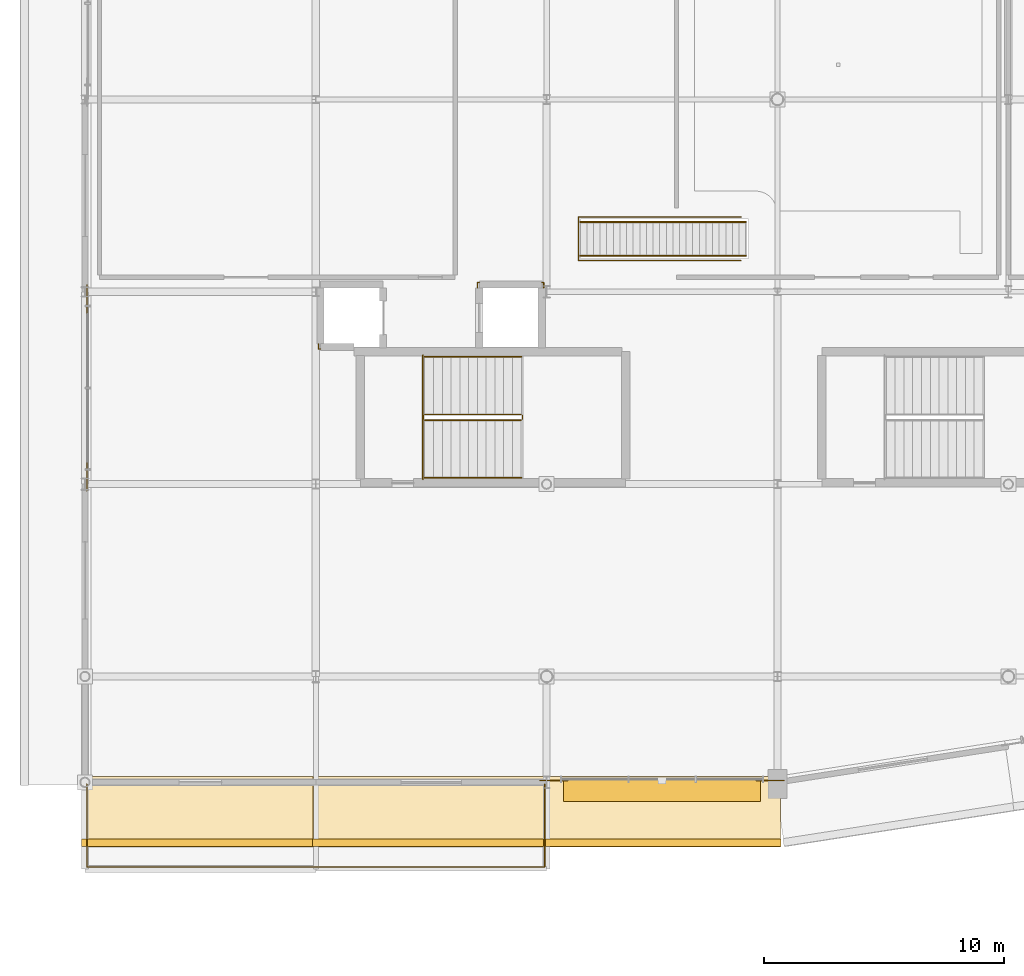
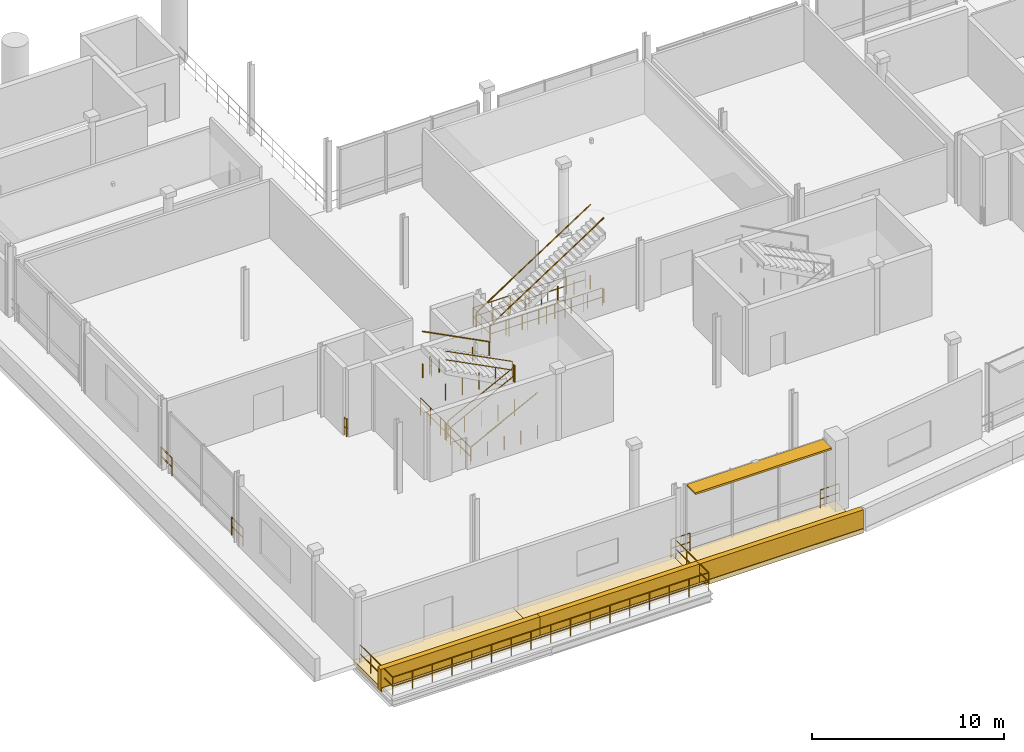
# One storey, part 48 of 59: 19 railings, 6 coverings, 1 shading device.
"""IFC4 building model written with IfcOpenShell, lengths in metres."""

from ifc_helpers import new_model, si_unit, direction, frame, origin, origin_2d, place, context, subcontext, project, spatial, rectangle, circle, extrude, material, layer, layer_set, type_object, element, save


model = new_model("IFC4")

# Units and contexts
model_context = context("Model", 3, precision=1e-05, world=origin(), true_north=direction((0.0, 1.0)))
body_context = subcontext(model_context, "Body", "Model", "MODEL_VIEW")
ifc_project = project(units=[si_unit("LENGTHUNIT", "METRE"), si_unit("AREAUNIT", "SQUARE_METRE"), si_unit("VOLUMEUNIT", "CUBIC_METRE"), si_unit("PLANEANGLEUNIT", "RADIAN"), si_unit("MASSUNIT", "GRAM", prefix="KILO")], contexts=[model_context])

# Site, building, storey
site_placement = place(None, origin())
site = spatial("IfcSite", under=ifc_project, at=site_placement, CompositionType="ELEMENT")
building_placement = place(site_placement, origin())
building = spatial("IfcBuilding", under=site, at=building_placement, Name="Danafjord Basin Convention Centre", CompositionType="ELEMENT")
storey_placement = place(building_placement, frame((0.0, 0.0, 15.89990234375)))
storey = spatial("IfcBuildingStorey", under=building, at=storey_placement, Name="L03", CompositionType="ELEMENT", Elevation=15.89990234375)

# Coverings
ifc_material_1 = material(Name="Architectural white precast concrete C45/55", Category="concrete")
ifc_layer = layer(ifc_material_1, 0.320068359375)
ifc_layer_set = layer_set([ifc_layer], Name="Architectural white precast concrete C45/55")
covering_type = type_object("IfcCoveringType", Name="COV-BAND-HORIZ", PredefinedType="CLADDING", material=ifc_layer_set)
covering_1_placement = place(storey_placement, frame((4.800048828125, 2.375, -0.27978515625), z_axis=(0.0, 0.0, 1.0), x_axis=(1.0, 0.0, 0.0)))
element("IfcCovering", 1, at=covering_1_placement, inside=storey, type_object=covering_type, Name="L03 stepped horizontal band soffit plate 25", PredefinedType="CLADDING", context=body_context, shape_type="SweptSolid", body=[
    extrude(rectangle(XDim=9.840087890625, YDim=2.949951171875, at=origin_2d()), origin(), (0.0, 0.0, 1.0), 0.280029296875),
])
covering_2_placement = place(storey_placement, frame((4.800048828125, 1.090087890625, -0.23974609375), z_axis=(0.0, 0.0, 1.0), x_axis=(1.0, 0.0, 0.0)))
element("IfcCovering", 2, at=covering_2_placement, inside=storey, type_object=covering_type, Name="L03 layered horizontal white spandrel band 25", PredefinedType="CLADDING", context=body_context, shape_type="SweptSolid", body=[
    extrude(rectangle(XDim=9.8798828125, YDim=0.320068359375, at=origin_2d()), origin(), (0.0, 0.0, 1.0), 1.419921875),
])
covering_3_placement = place(storey_placement, frame((14.39990234375, 2.375, -0.27978515625), z_axis=(0.0, 0.0, 1.0), x_axis=(1.0, 0.0, 0.0)))
element("IfcCovering", 3, at=covering_3_placement, inside=storey, type_object=covering_type, Name="L03 stepped horizontal band soffit plate 26", PredefinedType="CLADDING", context=body_context, shape_type="SweptSolid", body=[
    extrude(rectangle(XDim=9.840087890625, YDim=2.949951171875, at=origin_2d()), origin(), (0.0, 0.0, 1.0), 0.280029296875),
])
covering_4_placement = place(storey_placement, frame((14.39990234375, 1.090087890625, -0.23974609375), z_axis=(0.0, 0.0, 1.0), x_axis=(1.0, 0.0, 0.0)))
element("IfcCovering", 4, at=covering_4_placement, inside=storey, type_object=covering_type, Name="L03 layered horizontal white spandrel band 26", PredefinedType="CLADDING", context=body_context, shape_type="SweptSolid", body=[
    extrude(rectangle(XDim=9.8798828125, YDim=0.320068359375, at=origin_2d()), origin(), (0.0, 0.0, 1.0), 1.419921875),
])
covering_5_placement = place(storey_placement, frame((24.0, 2.375, -0.27978515625), z_axis=(0.0, 0.0, 1.0), x_axis=(1.0, 0.0, 0.0)))
element("IfcCovering", 5, at=covering_5_placement, inside=storey, type_object=covering_type, Name="L03 stepped horizontal band soffit plate 27", PredefinedType="CLADDING", context=body_context, shape_type="SweptSolid", body=[
    extrude(rectangle(XDim=9.840087890625, YDim=2.949951171875, at=origin_2d()), origin(), (0.0, 0.0, 1.0), 0.280029296875),
])
covering_6_placement = place(storey_placement, frame((24.0, 1.090087890625, -0.23974609375), z_axis=(0.0, 0.0, 1.0), x_axis=(1.0, 0.0, 0.0)))
element("IfcCovering", 6, at=covering_6_placement, inside=storey, type_object=covering_type, Name="L03 layered horizontal white spandrel band 27", PredefinedType="CLADDING", context=body_context, shape_type="SweptSolid", body=[
    extrude(rectangle(XDim=9.8798828125, YDim=0.320068359375, at=origin_2d()), origin(), (0.0, 0.0, 1.0), 1.419921875),
])

# Railings
ifc_material_2 = material(Name="Laminated structural glass and stainless steel", Category="steel")
railing_type_1 = type_object("IfcRailingType", Name="RL-BAL-GLS", PredefinedType="BALUSTRADE", material=ifc_material_2)
railing_1_placement = place(storey_placement, frame((0.080078125, 0.080078125, 0.0)))
element("IfcRailing", 7, at=railing_1_placement, inside=storey, type_object=railing_type_1, Name="L03 safety guard balustrade 232", PredefinedType="BALUSTRADE", context=body_context, shape_type="SweptSolid", body=[
    extrude(circle(Radius=0.02392578125, at=origin_2d()), frame((0.0, 0.0, 1.1259765625), z_axis=(0.0, 1.0, 0.0), x_axis=(-1.0, 0.0, 0.0)), (0.0, 0.0, 1.0), 3.44482421875),
    extrude(circle(Radius=0.02392578125, at=origin_2d()), frame((0.0, 0.0, 0.55078125), z_axis=(0.0, 1.0, 0.0), x_axis=(-1.0, 0.0, 0.0)), (0.0, 0.0, 1.0), 3.44482421875),
    extrude(circle(Radius=0.02099609375, at=origin_2d()), origin(), (0.0, 0.0, 1.0), 1.099853515625),
    extrude(circle(Radius=0.02099609375, at=origin_2d()), frame((0.0, 1.148193359375, 0.0)), (0.0, 0.0, 1.0), 1.099853515625),
    extrude(circle(Radius=0.02099609375, at=origin_2d()), frame((0.0, 2.296630859375, 0.0)), (0.0, 0.0, 1.0), 1.099853515625),
    extrude(circle(Radius=0.02099609375, at=origin_2d()), frame((0.0, 3.44482421875, 0.0)), (0.0, 0.0, 1.0), 1.099853515625),
])
for number, where, name in (
    (8, (0.080078125, 15.719970703125, 0.0), "L03 safety guard balustrade 233"),
    (9, (0.080078125, 23.1201171875, 0.0), "L03 safety guard balustrade 234"),
):
    element("IfcRailing", number, at=place(storey_placement, frame(where)), inside=storey, type_object=railing_type_1, Name=name, PredefinedType="BALUSTRADE", context=body_context, shape_type="SweptSolid", body=[
        extrude(circle(Radius=0.02392578125, at=origin_2d()), frame((0.0, 0.0, 1.1259765625), z_axis=(0.0, 1.0, 0.0), x_axis=(-1.0, 0.0, 0.0)), (0.0, 0.0, 1.0), 1.159912109375),
        extrude(circle(Radius=0.02392578125, at=origin_2d()), frame((0.0, 0.0, 0.55078125), z_axis=(0.0, 1.0, 0.0), x_axis=(-1.0, 0.0, 0.0)), (0.0, 0.0, 1.0), 1.159912109375),
        extrude(circle(Radius=0.02099609375, at=origin_2d()), origin(), (0.0, 0.0, 1.0), 1.099853515625),
        extrude(circle(Radius=0.02099609375, at=origin_2d()), frame((0.0, 1.159912109375, 0.0)), (0.0, 0.0, 1.0), 1.099853515625),
    ])
railing_2_placement = place(storey_placement, frame((29.068115234375, 3.679931640625, 0.0)))
element("IfcRailing", 10, at=railing_2_placement, inside=storey, type_object=railing_type_1, Name="L03 safety guard balustrade 257", PredefinedType="BALUSTRADE", context=body_context, shape_type="SweptSolid", body=[
    extrude(circle(Radius=0.02392578125, at=origin_2d()), frame((0.0, 0.0, 1.1259765625), z_axis=(-1.0, 0.0, 0.0), x_axis=(0.0, -1.0, 0.0)), (0.0, 0.0, 1.0), 1.148193359375),
    extrude(circle(Radius=0.02392578125, at=origin_2d()), frame((0.0, 0.0, 0.55078125), z_axis=(-1.0, 0.0, 0.0), x_axis=(0.0, -1.0, 0.0)), (0.0, 0.0, 1.0), 1.148193359375),
    extrude(circle(Radius=0.02099609375, at=origin_2d()), origin(), (0.0, 0.0, 1.0), 1.099853515625),
    extrude(circle(Radius=0.02099609375, at=origin_2d()), frame((-1.148193359375, 0.0, 0.0)), (0.0, 0.0, 1.0), 1.099853515625),
])
railing_3_placement = place(storey_placement, frame((20.080078125, 3.679931640625, 0.0)))
element("IfcRailing", 11, at=railing_3_placement, inside=storey, type_object=railing_type_1, Name="L03 safety guard balustrade 258", PredefinedType="BALUSTRADE", context=body_context, shape_type="SweptSolid", body=[
    extrude(circle(Radius=0.02392578125, at=origin_2d()), frame((0.0, 0.0, 1.1259765625), z_axis=(-1.0, 0.0, 0.0), x_axis=(0.0, -1.0, 0.0)), (0.0, 0.0, 1.0), 1.16015625),
    extrude(circle(Radius=0.02392578125, at=origin_2d()), frame((0.0, 0.0, 0.55078125), z_axis=(-1.0, 0.0, 0.0), x_axis=(0.0, -1.0, 0.0)), (0.0, 0.0, 1.0), 1.16015625),
    extrude(circle(Radius=0.02099609375, at=origin_2d()), origin(), (0.0, 0.0, 1.0), 1.099853515625),
    extrude(circle(Radius=0.02099609375, at=origin_2d()), frame((-1.16015625, 0.0, 0.0)), (0.0, 0.0, 1.0), 1.099853515625),
])
railing_4_placement = place(storey_placement, frame((19.1201171875, 3.52490234375, 0.0)))
element("IfcRailing", 12, at=railing_4_placement, inside=storey, type_object=railing_type_1, Name="L03 safety guard balustrade 259", PredefinedType="BALUSTRADE", context=body_context, shape_type="SweptSolid", body=[
    extrude(circle(Radius=0.02392578125, at=origin_2d()), frame((0.0, 0.0, 1.1259765625), z_axis=(0.0, -1.0, 0.0), x_axis=(1.0, 0.0, 0.0)), (0.0, 0.0, 1.0), 3.44482421875),
    extrude(circle(Radius=0.02392578125, at=origin_2d()), frame((0.0, 0.0, 0.55078125), z_axis=(0.0, -1.0, 0.0), x_axis=(1.0, 0.0, 0.0)), (0.0, 0.0, 1.0), 3.44482421875),
    extrude(circle(Radius=0.02392578125, at=origin_2d()), frame((0.0, -3.44482421875, 1.1259765625), z_axis=(-1.0, 0.0, 0.0), x_axis=(0.0, -1.0, 0.0)), (0.0, 0.0, 1.0), 19.0400390625),
    extrude(circle(Radius=0.02392578125, at=origin_2d()), frame((0.0, -3.44482421875, 0.55078125), z_axis=(-1.0, 0.0, 0.0), x_axis=(0.0, -1.0, 0.0)), (0.0, 0.0, 1.0), 19.0400390625),
    extrude(circle(Radius=0.02099609375, at=origin_2d()), origin(), (0.0, 0.0, 1.0), 1.099853515625),
    extrude(circle(Radius=0.02099609375, at=origin_2d()), frame((0.0, -1.148193359375, 0.0)), (0.0, 0.0, 1.0), 1.099853515625),
    extrude(circle(Radius=0.02099609375, at=origin_2d()), frame((0.0, -2.296630859375, 0.0)), (0.0, 0.0, 1.0), 1.099853515625),
    extrude(circle(Radius=0.02099609375, at=origin_2d()), frame((0.0, -3.44482421875, 0.0)), (0.0, 0.0, 1.0), 1.099853515625),
    extrude(circle(Radius=0.02099609375, at=origin_2d()), frame((-1.18994140625, -3.44482421875, 0.0)), (0.0, 0.0, 1.0), 1.099853515625),
    extrude(circle(Radius=0.02099609375, at=origin_2d()), frame((-2.3798828125, -3.44482421875, 0.0)), (0.0, 0.0, 1.0), 1.099853515625),
    extrude(circle(Radius=0.02099609375, at=origin_2d()), frame((-3.570068359375, -3.44482421875, 0.0)), (0.0, 0.0, 1.0), 1.099853515625),
    extrude(circle(Radius=0.02099609375, at=origin_2d()), frame((-4.760009765625, -3.44482421875, 0.0)), (0.0, 0.0, 1.0), 1.099853515625),
    extrude(circle(Radius=0.02099609375, at=origin_2d()), frame((-5.949951171875, -3.44482421875, 0.0)), (0.0, 0.0, 1.0), 1.099853515625),
    extrude(circle(Radius=0.02099609375, at=origin_2d()), frame((-7.14013671875, -3.44482421875, 0.0)), (0.0, 0.0, 1.0), 1.099853515625),
    extrude(circle(Radius=0.02099609375, at=origin_2d()), frame((-8.330078125, -3.44482421875, 0.0)), (0.0, 0.0, 1.0), 1.099853515625),
    extrude(circle(Radius=0.02099609375, at=origin_2d()), frame((-9.52001953125, -3.44482421875, 0.0)), (0.0, 0.0, 1.0), 1.099853515625),
    extrude(circle(Radius=0.02099609375, at=origin_2d()), frame((-10.7099609375, -3.44482421875, 0.0)), (0.0, 0.0, 1.0), 1.099853515625),
    extrude(circle(Radius=0.02099609375, at=origin_2d()), frame((-11.89990234375, -3.44482421875, 0.0)), (0.0, 0.0, 1.0), 1.099853515625),
    extrude(circle(Radius=0.02099609375, at=origin_2d()), frame((-13.090087890625, -3.44482421875, 0.0)), (0.0, 0.0, 1.0), 1.099853515625),
    extrude(circle(Radius=0.02099609375, at=origin_2d()), frame((-14.280029296875, -3.44482421875, 0.0)), (0.0, 0.0, 1.0), 1.099853515625),
    extrude(circle(Radius=0.02099609375, at=origin_2d()), frame((-15.469970703125, -3.44482421875, 0.0)), (0.0, 0.0, 1.0), 1.099853515625),
    extrude(circle(Radius=0.02099609375, at=origin_2d()), frame((-16.66015625, -3.44482421875, 0.0)), (0.0, 0.0, 1.0), 1.099853515625),
    extrude(circle(Radius=0.02099609375, at=origin_2d()), frame((-17.85009765625, -3.44482421875, 0.0)), (0.0, 0.0, 1.0), 1.099853515625),
    extrude(circle(Radius=0.02099609375, at=origin_2d()), frame((-19.0400390625, -3.44482421875, 0.0)), (0.0, 0.0, 1.0), 1.099853515625),
])
railing_5_placement = place(storey_placement, frame((14.050048828125, 21.375, 0.0)))
element("IfcRailing", 13, at=railing_5_placement, inside=storey, type_object=railing_type_1, Name="L03 safety guard balustrade 272", PredefinedType="BALUSTRADE", context=body_context, shape_type="SweptSolid", body=[
    extrude(circle(Radius=0.02392578125, at=origin_2d()), frame((0.0, 0.0, 1.1259765625), z_axis=(0.0, -1.0, 0.0), x_axis=(1.0, 0.0, 0.0)), (0.0, 0.0, 1.0), 5.18994140625),
    extrude(circle(Radius=0.02392578125, at=origin_2d()), frame((0.0, 0.0, 0.55078125), z_axis=(0.0, -1.0, 0.0), x_axis=(1.0, 0.0, 0.0)), (0.0, 0.0, 1.0), 5.18994140625),
    extrude(circle(Radius=0.02099609375, at=origin_2d()), origin(), (0.0, 0.0, 1.0), 1.099853515625),
    extrude(circle(Radius=0.02099609375, at=origin_2d()), frame((0.0, -1.0380859375, 0.0)), (0.0, 0.0, 1.0), 1.099853515625),
    extrude(circle(Radius=0.02099609375, at=origin_2d()), frame((0.0, -2.075927734375, 0.0)), (0.0, 0.0, 1.0), 1.099853515625),
    extrude(circle(Radius=0.02099609375, at=origin_2d()), frame((0.0, -3.114013671875, 0.0)), (0.0, 0.0, 1.0), 1.099853515625),
    extrude(circle(Radius=0.02099609375, at=origin_2d()), frame((0.0, -4.15185546875, 0.0)), (0.0, 0.0, 1.0), 1.099853515625),
    extrude(circle(Radius=0.02099609375, at=origin_2d()), frame((0.0, -5.18994140625, 0.0)), (0.0, 0.0, 1.0), 1.099853515625),
])
railing_6_placement = place(storey_placement, frame((16.39990234375, 24.3798828125, 0.0)))
element("IfcRailing", 14, at=railing_6_placement, inside=storey, type_object=railing_type_1, Name="L03 safety guard balustrade 274", PredefinedType="BALUSTRADE", context=body_context, shape_type="SweptSolid", body=[
    extrude(circle(Radius=0.02392578125, at=origin_2d()), frame((0.0, 0.0, 1.1259765625), z_axis=(-1.0, 0.0, 0.0), x_axis=(0.0, -1.0, 0.0)), (0.0, 0.0, 1.0), 0.079833984375),
    extrude(circle(Radius=0.02392578125, at=origin_2d()), frame((0.0, 0.0, 0.55078125), z_axis=(-1.0, 0.0, 0.0), x_axis=(0.0, -1.0, 0.0)), (0.0, 0.0, 1.0), 0.079833984375),
    extrude(circle(Radius=0.02392578125, at=origin_2d()), frame((-0.079833984375, 0.0, 1.1259765625), z_axis=(0.0, -1.0, 0.0), x_axis=(1.0, 0.0, 0.0)), (0.0, 0.0, 1.0), 0.21484375),
    extrude(circle(Radius=0.02392578125, at=origin_2d()), frame((-0.079833984375, 0.0, 0.55078125), z_axis=(0.0, -1.0, 0.0), x_axis=(1.0, 0.0, 0.0)), (0.0, 0.0, 1.0), 0.21484375),
    extrude(circle(Radius=0.02099609375, at=origin_2d()), origin(), (0.0, 0.0, 1.0), 1.099853515625),
    extrude(circle(Radius=0.02099609375, at=origin_2d()), frame((-0.079833984375, 0.0, 0.0)), (0.0, 0.0, 1.0), 1.099853515625),
    extrude(circle(Radius=0.02099609375, at=origin_2d()), frame((-0.079833984375, -0.21484375, 0.0)), (0.0, 0.0, 1.0), 1.099853515625),
])
railing_7_placement = place(storey_placement, frame((9.719970703125, 21.8349609375, 0.0)))
element("IfcRailing", 15, at=railing_7_placement, inside=storey, type_object=railing_type_1, Name="L03 safety guard balustrade 278", PredefinedType="BALUSTRADE", context=body_context, shape_type="SweptSolid", body=[
    extrude(circle(Radius=0.02392578125, at=origin_2d()), frame((0.0, 0.0, 1.1259765625), z_axis=(0.0, -1.0, 0.0), x_axis=(1.0, 0.0, 0.0)), (0.0, 0.0, 1.0), 0.21484375),
    extrude(circle(Radius=0.02392578125, at=origin_2d()), frame((0.0, 0.0, 0.55078125), z_axis=(0.0, -1.0, 0.0), x_axis=(1.0, 0.0, 0.0)), (0.0, 0.0, 1.0), 0.21484375),
    extrude(circle(Radius=0.02392578125, at=origin_2d()), frame((0.0, -0.21484375, 1.1259765625), z_axis=(1.0, 0.0, 0.0), x_axis=(0.0, 1.0, 0.0)), (0.0, 0.0, 1.0), 0.080078125),
    extrude(circle(Radius=0.02392578125, at=origin_2d()), frame((0.0, -0.21484375, 0.55078125), z_axis=(1.0, 0.0, 0.0), x_axis=(0.0, 1.0, 0.0)), (0.0, 0.0, 1.0), 0.080078125),
    extrude(circle(Radius=0.02099609375, at=origin_2d()), origin(), (0.0, 0.0, 1.0), 1.099853515625),
    extrude(circle(Radius=0.02099609375, at=origin_2d()), frame((0.0, -0.21484375, 0.0)), (0.0, 0.0, 1.0), 1.099853515625),
    extrude(circle(Radius=0.02099609375, at=origin_2d()), frame((0.080078125, -0.21484375, 0.0)), (0.0, 0.0, 1.0), 1.099853515625),
])
ifc_material_3 = material(Name="Galvanised and powder-coated steel S355", Category="steel")
railing_type_2 = type_object("IfcRailingType", Name="RL-BAL-STL", PredefinedType="BALUSTRADE", material=ifc_material_3)
railing_8_placement = place(storey_placement, frame((27.280029296875, 27.10498046875, 0.0)))
element("IfcRailing", 16, at=railing_8_placement, inside=storey, type_object=railing_type_2, Name="L03 safety guard balustrade 271", PredefinedType="BALUSTRADE", context=body_context, shape_type="SweptSolid", body=[
    extrude(circle(Radius=0.02392578125, at=origin_2d()), frame((0.0, 0.0, 1.1259765625), z_axis=(-1.0, 0.0, 0.0), x_axis=(0.0, -1.0, 0.0)), (0.0, 0.0, 1.0), 6.760009765625),
    extrude(circle(Radius=0.02392578125, at=origin_2d()), frame((0.0, 0.0, 0.55078125), z_axis=(-1.0, 0.0, 0.0), x_axis=(0.0, -1.0, 0.0)), (0.0, 0.0, 1.0), 6.760009765625),
    extrude(circle(Radius=0.02392578125, at=origin_2d()), frame((-6.760009765625, 0.0, 1.1259765625), z_axis=(0.0, -1.0, 0.0), x_axis=(1.0, 0.0, 0.0)), (0.0, 0.0, 1.0), 1.81005859375),
    extrude(circle(Radius=0.02392578125, at=origin_2d()), frame((-6.760009765625, 0.0, 0.55078125), z_axis=(0.0, -1.0, 0.0), x_axis=(1.0, 0.0, 0.0)), (0.0, 0.0, 1.0), 1.81005859375),
    extrude(circle(Radius=0.02392578125, at=origin_2d()), frame((-6.760009765625, -1.81005859375, 1.1259765625), z_axis=(1.0, 0.0, 0.0), x_axis=(0.0, 1.0, 0.0)), (0.0, 0.0, 1.0), 6.760009765625),
    extrude(circle(Radius=0.02392578125, at=origin_2d()), frame((-6.760009765625, -1.81005859375, 0.55078125), z_axis=(1.0, 0.0, 0.0), x_axis=(0.0, 1.0, 0.0)), (0.0, 0.0, 1.0), 6.760009765625),
    extrude(circle(Radius=0.02099609375, at=origin_2d()), origin(), (0.0, 0.0, 1.0), 1.099853515625),
    extrude(circle(Radius=0.02099609375, at=origin_2d()), frame((-1.126708984375, 0.0, 0.0)), (0.0, 0.0, 1.0), 1.099853515625),
    extrude(circle(Radius=0.02099609375, at=origin_2d()), frame((-2.25341796875, 0.0, 0.0)), (0.0, 0.0, 1.0), 1.099853515625),
    extrude(circle(Radius=0.02099609375, at=origin_2d()), frame((-3.3798828125, 0.0, 0.0)), (0.0, 0.0, 1.0), 1.099853515625),
    extrude(circle(Radius=0.02099609375, at=origin_2d()), frame((-4.506591796875, 0.0, 0.0)), (0.0, 0.0, 1.0), 1.099853515625),
    extrude(circle(Radius=0.02099609375, at=origin_2d()), frame((-5.63330078125, 0.0, 0.0)), (0.0, 0.0, 1.0), 1.099853515625),
    extrude(circle(Radius=0.02099609375, at=origin_2d()), frame((-6.760009765625, 0.0, 0.0)), (0.0, 0.0, 1.0), 1.099853515625),
    extrude(circle(Radius=0.02099609375, at=origin_2d()), frame((-6.760009765625, -0.905029296875, 0.0)), (0.0, 0.0, 1.0), 1.099853515625),
    extrude(circle(Radius=0.02099609375, at=origin_2d()), frame((-6.760009765625, -1.81005859375, 0.0)), (0.0, 0.0, 1.0), 1.099853515625),
    extrude(circle(Radius=0.02099609375, at=origin_2d()), frame((-5.63330078125, -1.81005859375, 0.0)), (0.0, 0.0, 1.0), 1.099853515625),
    extrude(circle(Radius=0.02099609375, at=origin_2d()), frame((-4.506591796875, -1.81005859375, 0.0)), (0.0, 0.0, 1.0), 1.099853515625),
    extrude(circle(Radius=0.02099609375, at=origin_2d()), frame((-3.3798828125, -1.81005859375, 0.0)), (0.0, 0.0, 1.0), 1.099853515625),
    extrude(circle(Radius=0.02099609375, at=origin_2d()), frame((-2.25341796875, -1.81005859375, 0.0)), (0.0, 0.0, 1.0), 1.099853515625),
    extrude(circle(Radius=0.02099609375, at=origin_2d()), frame((-1.126708984375, -1.81005859375, 0.0)), (0.0, 0.0, 1.0), 1.099853515625),
    extrude(circle(Radius=0.02099609375, at=origin_2d()), frame((0.0, -1.81005859375, 0.0)), (0.0, 0.0, 1.0), 1.099853515625),
])
railing_9_placement = place(storey_placement, frame((19.080078125, 24.1650390625, 0.0)))
element("IfcRailing", 17, at=railing_9_placement, inside=storey, type_object=railing_type_2, Name="L03 safety guard balustrade 273", PredefinedType="BALUSTRADE", context=body_context, shape_type="SweptSolid", body=[
    extrude(circle(Radius=0.02392578125, at=origin_2d()), frame((0.0, 0.0, 1.1259765625), z_axis=(0.0, 1.0, 0.0), x_axis=(-1.0, 0.0, 0.0)), (0.0, 0.0, 1.0), 0.21484375),
    extrude(circle(Radius=0.02392578125, at=origin_2d()), frame((0.0, 0.0, 0.55078125), z_axis=(0.0, 1.0, 0.0), x_axis=(-1.0, 0.0, 0.0)), (0.0, 0.0, 1.0), 0.21484375),
    extrude(circle(Radius=0.02392578125, at=origin_2d()), frame((0.0, 0.21484375, 1.1259765625), z_axis=(-1.0, 0.0, 0.0), x_axis=(0.0, -1.0, 0.0)), (0.0, 0.0, 1.0), 0.080078125),
    extrude(circle(Radius=0.02392578125, at=origin_2d()), frame((0.0, 0.21484375, 0.55078125), z_axis=(-1.0, 0.0, 0.0), x_axis=(0.0, -1.0, 0.0)), (0.0, 0.0, 1.0), 0.080078125),
    extrude(circle(Radius=0.02099609375, at=origin_2d()), origin(), (0.0, 0.0, 1.0), 1.099853515625),
    extrude(circle(Radius=0.02099609375, at=origin_2d()), frame((0.0, 0.21484375, 0.0)), (0.0, 0.0, 1.0), 1.099853515625),
    extrude(circle(Radius=0.02099609375, at=origin_2d()), frame((-0.080078125, 0.21484375, 0.0)), (0.0, 0.0, 1.0), 1.099853515625),
])
ifc_material_4 = material(Name="Galvanised steel S355", Category="steel")
railing_type_3 = type_object("IfcRailingType", Name="RL-GD-WELL", PredefinedType="BALUSTRADE", material=ifc_material_4)
railing_10_placement = place(storey_placement, frame((14.1298828125, 18.659912109375, 0.1875)))
element("IfcRailing", 18, at=railing_10_placement, inside=storey, type_object=railing_type_3, Name="L03 ST-01 stair guard 1", PredefinedType="BALUSTRADE", context=body_context, shape_type="SweptSolid", body=[
    extrude(circle(Radius=0.02392578125, at=origin_2d()), frame((0.0, 0.0, 1.076171875), z_axis=(0.889506420944, 0.0, 0.45692267081), x_axis=(0.0, 1.0, 0.0)), (0.0, 0.0, 1.0), 4.513916015625),
    extrude(circle(Radius=0.02392578125, at=origin_2d()), frame((0.0, 0.0, 0.52587890625), z_axis=(0.889506420944, 0.0, 0.45692267081), x_axis=(0.0, 1.0, 0.0)), (0.0, 0.0, 1.0), 4.513916015625),
    extrude(circle(Radius=0.02099609375, at=origin_2d()), origin(), (0.0, 0.0, 1.0), 1.050048828125),
    extrude(circle(Radius=0.02099609375, at=origin_2d()), frame((1.00390625, 0.0, 0.0)), (0.0, 0.0, 1.0), 1.050048828125),
    extrude(circle(Radius=0.02099609375, at=origin_2d()), frame((2.007568359375, 0.0, 0.0)), (0.0, 0.0, 1.0), 1.050048828125),
    extrude(circle(Radius=0.02099609375, at=origin_2d()), frame((3.01123046875, 0.0, 0.0)), (0.0, 0.0, 1.0), 1.050048828125),
    extrude(circle(Radius=0.02099609375, at=origin_2d()), frame((4.01513671875, 0.0, 0.0)), (0.0, 0.0, 1.0), 1.050048828125),
])
railing_11_placement = place(storey_placement, frame((18.195068359375, 18.7099609375, 2.25)))
element("IfcRailing", 19, at=railing_11_placement, inside=storey, type_object=railing_type_3, Name="L03 ST-01 stair guard 2", PredefinedType="BALUSTRADE", context=body_context, shape_type="SweptSolid", body=[
    extrude(circle(Radius=0.02392578125, at=origin_2d()), frame((0.0, 0.0, 1.076171875), z_axis=(0.0, 1.0, 0.0), x_axis=(-1.0, 0.0, 0.0)), (0.0, 0.0, 1.0), 0.14013671875),
    extrude(circle(Radius=0.02392578125, at=origin_2d()), frame((0.0, 0.0, 0.52587890625), z_axis=(0.0, 1.0, 0.0), x_axis=(-1.0, 0.0, 0.0)), (0.0, 0.0, 1.0), 0.14013671875),
    extrude(circle(Radius=0.02099609375, at=origin_2d()), origin(), (0.0, 0.0, 1.0), 1.050048828125),
    extrude(circle(Radius=0.02099609375, at=origin_2d()), frame((0.0, 0.14013671875, 0.0)), (0.0, 0.0, 1.0), 1.050048828125),
])
railing_12_placement = place(storey_placement, frame((18.14501953125, 18.89990234375, 2.4375)))
element("IfcRailing", 20, at=railing_12_placement, inside=storey, type_object=railing_type_3, Name="L03 ST-01 stair guard 3", PredefinedType="BALUSTRADE", context=body_context, shape_type="SweptSolid", body=[
    extrude(circle(Radius=0.02392578125, at=origin_2d()), frame((0.0, 0.0, 1.076171875), z_axis=(-0.889506420944, 0.0, 0.45692267081), x_axis=(0.0, -1.0, 0.0)), (0.0, 0.0, 1.0), 4.513916015625),
    extrude(circle(Radius=0.02392578125, at=origin_2d()), frame((0.0, 0.0, 0.52587890625), z_axis=(-0.889506420944, 0.0, 0.45692267081), x_axis=(0.0, -1.0, 0.0)), (0.0, 0.0, 1.0), 4.513916015625),
    extrude(circle(Radius=0.02099609375, at=origin_2d()), origin(), (0.0, 0.0, 1.0), 1.050048828125),
    extrude(circle(Radius=0.02099609375, at=origin_2d()), frame((-1.00390625, 0.0, 0.0)), (0.0, 0.0, 1.0), 1.050048828125),
    extrude(circle(Radius=0.02099609375, at=origin_2d()), frame((-2.007568359375, 0.0, 0.0)), (0.0, 0.0, 1.0), 1.050048828125),
    extrude(circle(Radius=0.02099609375, at=origin_2d()), frame((-3.01123046875, 0.0, 0.0)), (0.0, 0.0, 1.0), 1.050048828125),
    extrude(circle(Radius=0.02099609375, at=origin_2d()), frame((-4.01513671875, 0.0, 0.0)), (0.0, 0.0, 1.0), 1.050048828125),
])
railing_13_placement = place(storey_placement, frame((14.080078125, 18.7099609375, 0.0)))
element("IfcRailing", 21, at=railing_13_placement, inside=storey, type_object=railing_type_3, Name="L03 ST-01 stair guard 4", PredefinedType="BALUSTRADE", context=body_context, shape_type="SweptSolid", body=[
    extrude(circle(Radius=0.02392578125, at=origin_2d()), frame((0.0, 0.0, 1.076171875), z_axis=(0.0, 1.0, 0.0), x_axis=(-1.0, 0.0, 0.0)), (0.0, 0.0, 1.0), 0.14013671875),
    extrude(circle(Radius=0.02392578125, at=origin_2d()), frame((0.0, 0.0, 0.52587890625), z_axis=(0.0, 1.0, 0.0), x_axis=(-1.0, 0.0, 0.0)), (0.0, 0.0, 1.0), 0.14013671875),
    extrude(circle(Radius=0.02099609375, at=origin_2d()), origin(), (0.0, 0.0, 1.0), 1.050048828125),
    extrude(circle(Radius=0.02099609375, at=origin_2d()), frame((0.0, 0.14013671875, 0.0)), (0.0, 0.0, 1.0), 1.050048828125),
])
ifc_material_5 = material(Name="Brushed stainless steel EN 1.4404", Category="steel")
railing_type_4 = type_object("IfcRailingType", Name="RL-HR-STAIR", PredefinedType="HANDRAIL", material=ifc_material_5)
railing_14_placement = place(storey_placement, frame((14.1298828125, 16.260009765625, 0.1875)))
element("IfcRailing", 22, at=railing_14_placement, inside=storey, type_object=railing_type_4, Name="L03 ST-01 stair handrail 1", PredefinedType="HANDRAIL", context=body_context, shape_type="SweptSolid", body=[
    extrude(circle(Radius=0.02392578125, at=origin_2d()), frame((0.0, 0.0, 0.8759765625), z_axis=(0.889506420944, 0.0, 0.45692267081), x_axis=(0.0, 1.0, 0.0)), (0.0, 0.0, 1.0), 4.513916015625),
    extrude(circle(Radius=0.02099609375, at=origin_2d()), origin(), (0.0, 0.0, 1.0), 0.849853515625),
    extrude(circle(Radius=0.02099609375, at=origin_2d()), frame((1.00390625, 0.0, 0.0)), (0.0, 0.0, 1.0), 0.849853515625),
    extrude(circle(Radius=0.02099609375, at=origin_2d()), frame((2.007568359375, 0.0, 0.0)), (0.0, 0.0, 1.0), 0.849853515625),
    extrude(circle(Radius=0.02099609375, at=origin_2d()), frame((3.01123046875, 0.0, 0.0)), (0.0, 0.0, 1.0), 0.849853515625),
    extrude(circle(Radius=0.02099609375, at=origin_2d()), frame((4.01513671875, 0.0, 0.0)), (0.0, 0.0, 1.0), 0.849853515625),
])
railing_15_placement = place(storey_placement, frame((18.14501953125, 21.300048828125, 2.4375)))
element("IfcRailing", 23, at=railing_15_placement, inside=storey, type_object=railing_type_4, Name="L03 ST-01 stair handrail 2", PredefinedType="HANDRAIL", context=body_context, shape_type="SweptSolid", body=[
    extrude(circle(Radius=0.02392578125, at=origin_2d()), frame((0.0, 0.0, 0.8759765625), z_axis=(-0.889506420944, 0.0, 0.45692267081), x_axis=(0.0, -1.0, 0.0)), (0.0, 0.0, 1.0), 4.513916015625),
    extrude(circle(Radius=0.02099609375, at=origin_2d()), origin(), (0.0, 0.0, 1.0), 0.849853515625),
    extrude(circle(Radius=0.02099609375, at=origin_2d()), frame((-1.00390625, 0.0, 0.0)), (0.0, 0.0, 1.0), 0.849853515625),
    extrude(circle(Radius=0.02099609375, at=origin_2d()), frame((-2.007568359375, 0.0, 0.0)), (0.0, 0.0, 1.0), 0.849853515625),
    extrude(circle(Radius=0.02099609375, at=origin_2d()), frame((-3.01123046875, 0.0, 0.0)), (0.0, 0.0, 1.0), 0.849853515625),
    extrude(circle(Radius=0.02099609375, at=origin_2d()), frame((-4.01513671875, 0.0, 0.0)), (0.0, 0.0, 1.0), 0.849853515625),
])
for number, where, name in (
    (24, (20.60009765625, 26.89990234375, 0.0), "Step-1 to Step-2 West Garden Stair handrail L"),
    (25, (20.60009765625, 25.5, 0.0), "Step-1 to Step-2 West Garden Stair handrail R"),
):
    element("IfcRailing", number, at=place(storey_placement, frame(where)), inside=storey, type_object=railing_type_4, Name=name, PredefinedType="HANDRAIL", context=body_context, shape_type="SweptSolid", body=[
        extrude(circle(Radius=0.02392578125, at=origin_2d()), frame((0.0, 0.0, 0.89599609375), z_axis=(0.836701516894, 0.0, 0.547659174694), x_axis=(0.0, 1.0, 0.0)), (0.0, 0.0, 1.0), 8.216796875),
        extrude(circle(Radius=0.02099609375, at=origin_2d()), origin(), (0.0, 0.0, 1.0), 0.869873046875),
        extrude(circle(Radius=0.02099609375, at=origin_2d()), frame((0.982177734375, 0.0, 0.0)), (0.0, 0.0, 1.0), 0.869873046875),
        extrude(circle(Radius=0.02099609375, at=origin_2d()), frame((1.96435546875, 0.0, 0.0)), (0.0, 0.0, 1.0), 0.869873046875),
        extrude(circle(Radius=0.02099609375, at=origin_2d()), frame((2.946533203125, 0.0, 0.0)), (0.0, 0.0, 1.0), 0.869873046875),
        extrude(circle(Radius=0.02099609375, at=origin_2d()), frame((3.928466796875, 0.0, 0.0)), (0.0, 0.0, 1.0), 0.869873046875),
        extrude(circle(Radius=0.02099609375, at=origin_2d()), frame((4.91064453125, 0.0, 0.0)), (0.0, 0.0, 1.0), 0.869873046875),
        extrude(circle(Radius=0.02099609375, at=origin_2d()), frame((5.892822265625, 0.0, 0.0)), (0.0, 0.0, 1.0), 0.869873046875),
        extrude(circle(Radius=0.02099609375, at=origin_2d()), frame((6.875, 0.0, 0.0)), (0.0, 0.0, 1.0), 0.869873046875),
    ])

# Shading device
ifc_material_6 = material(Name="Anodised aluminium aerofoil sunshade", Category="aluminium")
shading_device_type = type_object("IfcShadingDeviceType", Name="SHD-SUN-A", PredefinedType="USERDEFINED", material=ifc_material_6)
shading_device_placement = place(storey_placement, frame((24.0, 3.260009765625, 4.154052734375), z_axis=(0.0, 0.0, 1.0), x_axis=(1.0, 0.0, 0.0)))
element("IfcShadingDevice", 26, at=shading_device_placement, inside=storey, type_object=shading_device_type, Name="L03 cantilevered harbour sunshade 10", ObjectType="SUNSHADE", PredefinedType="USERDEFINED", context=body_context, shape_type="SweptSolid", body=[
    extrude(rectangle(XDim=8.199951171875, YDim=0.89990234375, at=origin_2d()), origin(), (0.0, 0.0, 1.0), 0.1201171875),
])

save(model, "model.ifc")
